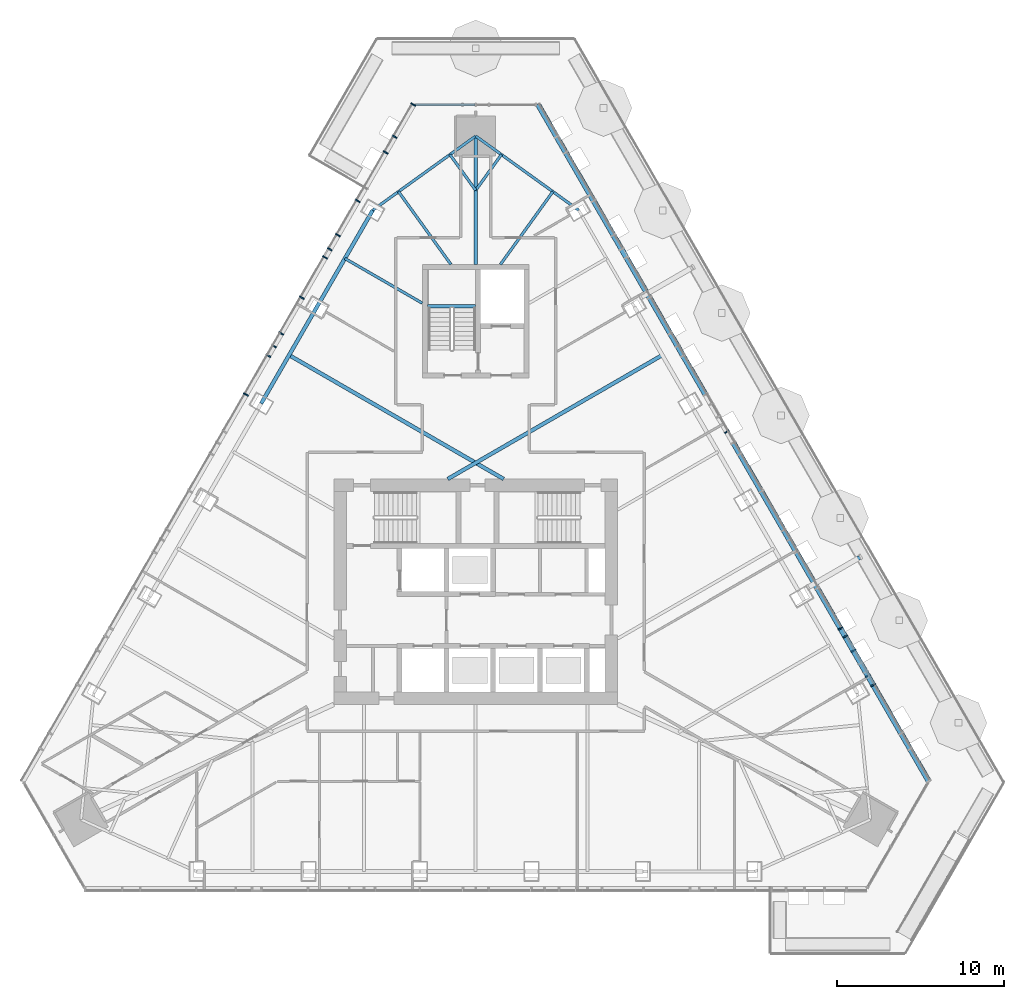
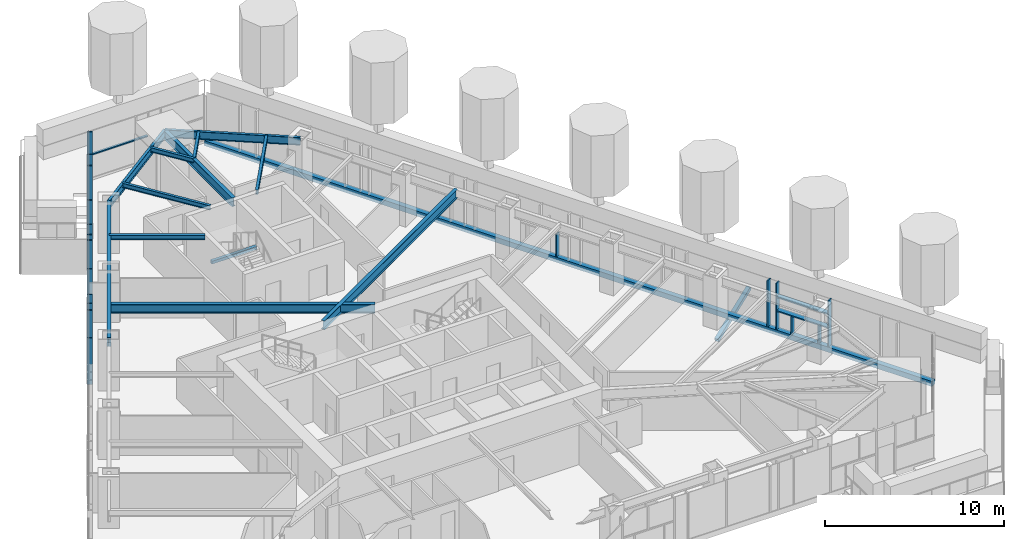
# One storey, part 6 of 24: 23 members, 12 beams, 3 elements without a shape of their own.
"""IFC4 building model written with IfcOpenShell, lengths in metres."""

from ifc_helpers import new_model, si_unit, direction, frame, origin, origin_2d, place, context, subcontext, project, spatial, rectangle, hollow_rectangle, i_section, extrude, material, layer, layer_set, material_profile, profile_set, type_object, element, aggregate, save


model = new_model("IFC4")

# Units and contexts
model_context = context("Model", 3, precision=1e-05, world=origin(), true_north=direction((0.0, 1.0)))
body_context = subcontext(model_context, "Body", "Model", "MODEL_VIEW")
ifc_project = project(units=[si_unit("LENGTHUNIT", "METRE"), si_unit("AREAUNIT", "SQUARE_METRE"), si_unit("VOLUMEUNIT", "CUBIC_METRE"), si_unit("PLANEANGLEUNIT", "RADIAN"), si_unit("MASSUNIT", "GRAM", prefix="KILO")], contexts=[model_context])

# Site, building, storey
site_placement = place(None, origin())
site = spatial("IfcSite", under=ifc_project, at=site_placement, CompositionType="ELEMENT")
building_placement = place(site_placement, origin())
building = spatial("IfcBuilding", under=site, at=building_placement, Name="Firuza Gate Tower and Library", CompositionType="ELEMENT")
storey_placement = place(building_placement, frame((0.0, 0.0, 267.10009765625)))
storey = spatial("IfcBuildingStorey", under=building, at=storey_placement, Name="L63", CompositionType="ELEMENT", Elevation=267.10009765625)

# Curtain wall, members
ifc_material_1 = material(Name="Aluminium 6063-T6", Category="aluminium")
ifc_layer_1 = layer(ifc_material_1, 0.14990234375)
ifc_layer_set_1 = layer_set([ifc_layer_1], Name="Unitised curtain wall, residences")
curtain_wall_type_1 = type_object("IfcCurtainWallType", Name="Unitised curtain wall, residences", PredefinedType="NOTDEFINED", material=ifc_layer_set_1)
placement = place(storey_placement, origin())
curtain_wall_1 = element("IfcCurtainWall", 1, at=placement, inside=storey, type_object=curtain_wall_type_1, Name="CW3 L63 E face", PredefinedType="NOTDEFINED")
ifc_material_2 = material(Name="Aluminium 6063-T6", Category="aluminium")
ifc_material_profile_1 = material_profile(ifc_material_2, rectangle(XDim=0.320068359375, YDim=0.080078125, at=origin_2d()))
ifc_profile_set_1 = profile_set([ifc_material_profile_1], Name="Aluminium 6063-T6")
member_type_1 = type_object("IfcMemberType", Name="Curtain wall mullion 80x320", PredefinedType="MULLION", material=ifc_profile_set_1)
member_1_placement = place(storey_placement, frame((98.802001953125, 69.415283203125, 0.14990234375), z_axis=(0.0, 0.0, 1.0), x_axis=(-0.866025403784, -0.5, 0.0)))
member_1 = element("IfcMember", 2, at=member_1_placement, type_object=member_type_1, Name="Mullion", PredefinedType="MULLION", context=body_context, shape_type="SweptSolid", body=[
    extrude(rectangle(XDim=0.320068359375, YDim=0.080078125, at=origin_2d()), origin(), (0.0, 0.0, 1.0), 3.14990234375),
])
member_2_placement = place(storey_placement, frame((97.128173828125, 72.314208984375, 0.14990234375), z_axis=(0.0, 0.0, 1.0), x_axis=(-0.866025403784, -0.5, 0.0)))
member_2 = element("IfcMember", 3, at=member_2_placement, type_object=member_type_1, Name="Mullion", PredefinedType="MULLION", context=body_context, shape_type="SweptSolid", body=[
    extrude(rectangle(XDim=0.320068359375, YDim=0.080078125, at=origin_2d()), origin(), (0.0, 0.0, 1.0), 3.14990234375),
])
member_3_placement = place(storey_placement, frame((98.487548828125, 69.9599609375, 0.14990234375), z_axis=(0.0, 0.0, 1.0), x_axis=(-0.866025403784, -0.5, 0.0)))
member_3 = element("IfcMember", 4, at=member_3_placement, type_object=member_type_1, Name="Mullion", PredefinedType="MULLION", context=body_context, shape_type="SweptSolid", body=[
    extrude(rectangle(XDim=0.320068359375, YDim=0.080078125, at=origin_2d()), origin(), (0.0, 0.0, 1.0), 1.260009765625),
])
member_4_placement = place(storey_placement, frame((97.617431640625, 71.466796875, 0.14990234375), z_axis=(0.0, 0.0, 1.0), x_axis=(-0.866025403784, -0.5, 0.0)))
member_4 = element("IfcMember", 5, at=member_4_placement, type_object=member_type_1, Name="Mullion", PredefinedType="MULLION", context=body_context, shape_type="SweptSolid", body=[
    extrude(rectangle(XDim=0.320068359375, YDim=0.080078125, at=origin_2d()), origin(), (0.0, 0.0, 1.0), 1.260009765625),
])
member_5_placement = place(storey_placement, frame((96.848876953125, 72.7978515625, 0.14990234375), z_axis=(0.0, 0.0, 1.0), x_axis=(-0.866025403784, -0.5, 0.0)))
member_5 = element("IfcMember", 6, at=member_5_placement, type_object=member_type_1, Name="Mullion", PredefinedType="MULLION", context=body_context, shape_type="SweptSolid", body=[
    extrude(rectangle(XDim=0.320068359375, YDim=0.080078125, at=origin_2d()), origin(), (0.0, 0.0, 1.0), 3.14990234375),
])
member_6_placement = place(storey_placement, frame((90.049072265625, 84.575927734375, 0.14990234375), z_axis=(0.0, 0.0, 1.0), x_axis=(-0.866025403784, -0.5, 0.0)))
member_6 = element("IfcMember", 7, at=member_6_placement, type_object=member_type_1, Name="Mullion", PredefinedType="MULLION", context=body_context, shape_type="SweptSolid", body=[
    extrude(rectangle(XDim=0.320068359375, YDim=0.080078125, at=origin_2d()), origin(), (0.0, 0.0, 1.0), 1.534912109375),
])

curtain_wall_2 = element("IfcCurtainWall", 8, at=placement, inside=storey, type_object=curtain_wall_type_1, Name="CW3 L63 W face", PredefinedType="NOTDEFINED")
member_7_placement = place(storey_placement, frame((71.26318359375, 104.1689453125, 0.14990234375), z_axis=(0.0, 0.0, 1.0), x_axis=(0.866025403784, -0.5, 0.0)))
member_7 = element("IfcMember", 9, at=member_7_placement, type_object=member_type_1, Name="Mullion", PredefinedType="MULLION", context=body_context, shape_type="SweptSolid", body=[
    extrude(rectangle(XDim=0.320068359375, YDim=0.080078125, at=origin_2d()), origin(), (0.0, 0.0, 1.0), 3.14990234375),
])
member_8_placement = place(storey_placement, frame((69.609375, 101.3046875, 0.14990234375), z_axis=(0.0, 0.0, 1.0), x_axis=(0.866025403784, -0.5, 0.0)))
member_8 = element("IfcMember", 10, at=member_8_placement, type_object=member_type_1, Name="Mullion", PredefinedType="MULLION", context=body_context, shape_type="SweptSolid", body=[
    extrude(rectangle(XDim=0.320068359375, YDim=0.080078125, at=origin_2d()), origin(), (0.0, 0.0, 1.0), 3.14990234375),
])
member_9_placement = place(storey_placement, frame((67.935546875, 98.405517578125, 0.14990234375), z_axis=(0.0, 0.0, 1.0), x_axis=(0.866025403784, -0.5, 0.0)))
member_9 = element("IfcMember", 11, at=member_9_placement, type_object=member_type_1, Name="Mullion", PredefinedType="MULLION", context=body_context, shape_type="SweptSolid", body=[
    extrude(rectangle(XDim=0.320068359375, YDim=0.080078125, at=origin_2d()), origin(), (0.0, 0.0, 1.0), 3.14990234375),
])
member_10_placement = place(storey_placement, frame((66.26171875, 95.506591796875, 0.14990234375), z_axis=(0.0, 0.0, 1.0), x_axis=(0.866025403784, -0.5, 0.0)))
member_10 = element("IfcMember", 12, at=member_10_placement, type_object=member_type_1, Name="Mullion", PredefinedType="MULLION", context=body_context, shape_type="SweptSolid", body=[
    extrude(rectangle(XDim=0.320068359375, YDim=0.080078125, at=origin_2d()), origin(), (0.0, 0.0, 1.0), 3.14990234375),
])
member_11_placement = place(storey_placement, frame((64.588134765625, 92.607421875, 0.14990234375), z_axis=(0.0, 0.0, 1.0), x_axis=(0.866025403784, -0.5, 0.0)))
member_11 = element("IfcMember", 13, at=member_11_placement, type_object=member_type_1, Name="Mullion", PredefinedType="MULLION", context=body_context, shape_type="SweptSolid", body=[
    extrude(rectangle(XDim=0.320068359375, YDim=0.080078125, at=origin_2d()), origin(), (0.0, 0.0, 1.0), 3.14990234375),
])
member_12_placement = place(storey_placement, frame((62.914306640625, 89.70849609375, 0.14990234375), z_axis=(0.0, 0.0, 1.0), x_axis=(0.866025403784, -0.5, 0.0)))
member_12 = element("IfcMember", 14, at=member_12_placement, type_object=member_type_1, Name="Mullion", PredefinedType="MULLION", context=body_context, shape_type="SweptSolid", body=[
    extrude(rectangle(XDim=0.320068359375, YDim=0.080078125, at=origin_2d()), origin(), (0.0, 0.0, 1.0), 3.14990234375),
])
member_13_placement = place(storey_placement, frame((61.240478515625, 86.809326171875, 0.14990234375), z_axis=(0.0, 0.0, 1.0), x_axis=(0.866025403784, -0.5, 0.0)))
member_13 = element("IfcMember", 15, at=member_13_placement, type_object=member_type_1, Name="Mullion", PredefinedType="MULLION", context=body_context, shape_type="SweptSolid", body=[
    extrude(rectangle(XDim=0.320068359375, YDim=0.080078125, at=origin_2d()), origin(), (0.0, 0.0, 1.0), 3.14990234375),
])
member_14_placement = place(storey_placement, frame((70.151123046875, 102.242919921875, 0.14990234375), z_axis=(0.0, 0.0, 1.0), x_axis=(0.866025403784, -0.5, 0.0)))
member_14 = element("IfcMember", 16, at=member_14_placement, type_object=member_type_1, Name="Mullion", PredefinedType="MULLION", context=body_context, shape_type="SweptSolid", body=[
    extrude(rectangle(XDim=0.320068359375, YDim=0.080078125, at=origin_2d()), origin(), (0.0, 0.0, 1.0), 3.14990234375),
])
member_15_placement = place(storey_placement, frame((66.7509765625, 96.353759765625, 0.14990234375), z_axis=(0.0, 0.0, 1.0), x_axis=(0.866025403784, -0.5, 0.0)))
member_15 = element("IfcMember", 17, at=member_15_placement, type_object=member_type_1, Name="Mullion", PredefinedType="MULLION", context=body_context, shape_type="SweptSolid", body=[
    extrude(rectangle(XDim=0.320068359375, YDim=0.080078125, at=origin_2d()), origin(), (0.0, 0.0, 1.0), 3.14990234375),
])
member_16_placement = place(storey_placement, frame((65.982421875, 95.022705078125, 0.14990234375), z_axis=(0.0, 0.0, 1.0), x_axis=(0.866025403784, -0.5, 0.0)))
member_16 = element("IfcMember", 18, at=member_16_placement, type_object=member_type_1, Name="Mullion", PredefinedType="MULLION", context=body_context, shape_type="SweptSolid", body=[
    extrude(rectangle(XDim=0.320068359375, YDim=0.080078125, at=origin_2d()), origin(), (0.0, 0.0, 1.0), 3.14990234375),
])
member_17_placement = place(storey_placement, frame((63.35107421875, 90.46484375, 0.14990234375), z_axis=(0.0, 0.0, 1.0), x_axis=(0.866025403784, -0.5, 0.0)))
member_17 = element("IfcMember", 19, at=member_17_placement, type_object=member_type_1, Name="Mullion", PredefinedType="MULLION", context=body_context, shape_type="SweptSolid", body=[
    extrude(rectangle(XDim=0.320068359375, YDim=0.080078125, at=origin_2d()), origin(), (0.0, 0.0, 1.0), 3.14990234375),
])
member_18_placement = place(storey_placement, frame((62.58251953125, 89.1337890625, 0.14990234375), z_axis=(0.0, 0.0, 1.0), x_axis=(0.866025403784, -0.5, 0.0)))
member_18 = element("IfcMember", 20, at=member_18_placement, type_object=member_type_1, Name="Mullion", PredefinedType="MULLION", context=body_context, shape_type="SweptSolid", body=[
    extrude(rectangle(XDim=0.320068359375, YDim=0.080078125, at=origin_2d()), origin(), (0.0, 0.0, 1.0), 3.14990234375),
])
aggregate(curtain_wall_2, [member_7, member_8, member_9, member_10, member_11, member_12, member_13, member_14, member_15, member_16, member_17, member_18])

# Member
ifc_material_3 = material(Name="Aluminium 6063-T6", Category="aluminium")
ifc_material_profile_2 = material_profile(ifc_material_3, rectangle(XDim=0.320068359375, YDim=0.35009765625, at=origin_2d()))
ifc_profile_set_2 = profile_set([ifc_material_profile_2], Name="Aluminium 6063-T6")
member_type_2 = type_object("IfcMemberType", Name="Curtain wall transom 350x320", PredefinedType="USERDEFINED", material=ifc_profile_set_2)
member_19_placement = place(storey_placement, frame((102.149658203125, 63.6171875, -0.025146484375), z_axis=(-0.500004440558, 0.866022840012, 0.0), x_axis=(-0.866022840012, -0.500004440558, 0.0)))
member_19 = element("IfcMember", 21, at=member_19_placement, type_object=member_type_2, Name="Transom", ObjectType="TRANSOM", PredefinedType="USERDEFINED", context=body_context, shape_type="SweptSolid", body=[
    extrude(rectangle(XDim=0.320068359375, YDim=0.35009765625, at=origin_2d()), origin(), (0.0, 0.0, 1.0), 46.865234375),
])

# Curtain wall, member
ifc_material_4 = material(Name="Aluminium 6063-T6", Category="aluminium")
ifc_layer_2 = layer(ifc_material_4, 0.14990234375)
ifc_layer_set_2 = layer_set([ifc_layer_2], Name="Corner curtain wall, chamfers")
curtain_wall_type_2 = type_object("IfcCurtainWallType", Name="Corner curtain wall, chamfers", PredefinedType="NOTDEFINED", material=ifc_layer_set_2)
curtain_wall_3 = element("IfcCurtainWall", 22, at=placement, inside=storey, type_object=curtain_wall_type_2, Name="CW4 L63 N corner", PredefinedType="NOTDEFINED")
ifc_material_5 = material(Name="Aluminium 6063-T6", Category="aluminium")
ifc_material_profile_3 = material_profile(ifc_material_5, rectangle(XDim=0.14990234375, YDim=0.080078125, at=origin_2d()))
ifc_profile_set_3 = profile_set([ifc_material_profile_3], Name="Aluminium 6063-T6")
member_type_3 = type_object("IfcMemberType", Name="Curtain wall transom 80x150", PredefinedType="USERDEFINED", material=ifc_profile_set_3)
member_20_placement = place(storey_placement, frame((74.9599609375, 104.1611328125, 1.724853515625), z_axis=(-1.0, 0.0, 0.0), x_axis=(0.0, -1.0, 0.0)))
member_20 = element("IfcMember", 23, at=member_20_placement, type_object=member_type_3, Name="Transom", ObjectType="TRANSOM", PredefinedType="USERDEFINED", context=body_context, shape_type="SweptSolid", body=[
    extrude(rectangle(XDim=0.14990234375, YDim=0.080078125, at=origin_2d()), origin(), (0.0, 0.0, 1.0), 3.563232421875),
])
aggregate(curtain_wall_3, [member_20])

# Member
ifc_material_6 = material(Name="Aluminium 6063-T6", Category="aluminium")
ifc_material_profile_4 = material_profile(ifc_material_6, rectangle(XDim=0.320068359375, YDim=0.080078125, at=origin_2d()))
ifc_profile_set_4 = profile_set([ifc_material_profile_4], Name="Aluminium 6063-T6")
member_type_4 = type_object("IfcMemberType", Name="Curtain wall transom 80x320", PredefinedType="USERDEFINED", material=ifc_profile_set_4)
member_21_placement = place(storey_placement, frame((98.781982421875, 69.449951171875, 1.449951171875), z_axis=(-0.500028601563, 0.866008890035, 0.0), x_axis=(-0.866008890035, -0.500028601563, 0.0)))
member_21 = element("IfcMember", 24, at=member_21_placement, type_object=member_type_4, Name="Transom", ObjectType="TRANSOM", PredefinedType="USERDEFINED", context=body_context, shape_type="SweptSolid", body=[
    extrude(rectangle(XDim=0.320068359375, YDim=0.080078125, at=origin_2d()), origin(), (0.0, 0.0, 1.0), 3.267333984375),
])

member_22_placement = place(storey_placement, frame((98.781982421875, 69.449951171875, 2.375), z_axis=(-0.500028601563, 0.866008890035, 0.0), x_axis=(-0.866008890035, -0.500028601563, 0.0)))
member_22 = element("IfcMember", 25, at=member_22_placement, type_object=member_type_4, Name="Transom", ObjectType="TRANSOM", PredefinedType="USERDEFINED", context=body_context, shape_type="SweptSolid", body=[
    extrude(rectangle(XDim=0.320068359375, YDim=0.080078125, at=origin_2d()), origin(), (0.0, 0.0, 1.0), 3.267333984375),
])

aggregate(curtain_wall_1, [member_1, member_2, member_19, member_3, member_4, member_21, member_22, member_5, member_6])

ifc_material_7 = material(Name="Steel S355", Category="steel")
ifc_material_profile_5 = material_profile(ifc_material_7, hollow_rectangle(XDim=0.25390625, YDim=0.25390625, WallThickness=0.01171875, at=origin_2d()))
ifc_profile_set_5 = profile_set([ifc_material_profile_5], Name="Steel S355")
member_type_5 = type_object("IfcMemberType", Name="HSS254x254x13 Tray strut", PredefinedType="BRACE", material=ifc_profile_set_5)
member_23_placement = place(storey_placement, frame((94.92724609375, 75.276611328125, -1.670166015625), z_axis=(0.807122458648, 0.466007352202, 0.362478253747), x_axis=(-0.500012057535, 0.866018442252, 0.0)))
element("IfcMember", 26, at=member_23_placement, inside=storey, type_object=member_type_5, Name="Tray strut L63 col:L62:E2", PredefinedType="BRACE", context=body_context, shape_type="SweptSolid", body=[
    extrude(hollow_rectangle(XDim=0.25390625, YDim=0.25390625, WallThickness=0.01171875, at=origin_2d()), origin(), (0.0, 0.0, 1.0), 3.86279296875),
])

# Beams
ifc_material_8 = material(Name="Concrete C35/45", Category="concrete")
ifc_material_profile_6 = material_profile(ifc_material_8, rectangle(XDim=0.199951171875, YDim=0.199951171875, at=origin_2d()))
ifc_profile_set_6 = profile_set([ifc_material_profile_6], Name="Concrete C35/45")
beam_type_1 = type_object("IfcBeamType", Name="Stair landing bearer 200x200", PredefinedType="BEAM", material=ifc_profile_set_6)
beam_1_placement = place(storey_placement, frame((75.0, 92.090087890625, 1.449951171875), z_axis=(-1.0, 0.0, 0.0), x_axis=(0.0, -1.0, 0.0)))
element("IfcBeam", 27, at=beam_1_placement, inside=storey, type_object=beam_type_1, Name="Landing bearer L63 stair 3", PredefinedType="BEAM", context=body_context, shape_type="SweptSolid", body=[
    extrude(rectangle(XDim=0.199951171875, YDim=0.199951171875, at=origin_2d()), origin(), (0.0, 0.0, 1.0), 2.89990234375),
])
ifc_material_9 = material(Name="Steel S355", Category="steel")
ifc_material_profile_7 = material_profile(ifc_material_9, i_section(OverallWidth=0.1650390625, OverallDepth=0.31005859375, WebThickness=0.005859375, FlangeThickness=0.009765625, at=origin_2d()))
ifc_profile_set_7 = profile_set([ifc_material_profile_7], Name="Steel S355")
beam_type_2 = type_object("IfcBeamType", Name="W310x39 Floor beam", PredefinedType="JOIST", material=ifc_profile_set_7)
beam_2_placement = place(storey_placement, frame((79.621337890625, 98.9580078125, 3.14501953125), z_axis=(-0.584364605305, -0.811491224886, 0.0), x_axis=(0.811491224886, -0.584364605305, 0.0)))
element("IfcBeam", 28, at=beam_2_placement, inside=storey, type_object=beam_type_2, Name="Floor beam L63 s60", PredefinedType="JOIST", context=body_context, shape_type="SweptSolid", body=[
    extrude(i_section(OverallWidth=0.1650390625, OverallDepth=0.31005859375, WebThickness=0.005859375, FlangeThickness=0.009765625, at=origin_2d()), origin(), (0.0, 0.0, 1.0), 5.370361328125),
])
for number, where, z_axis, x_axis, name in (
    (29, (76.54052734375, 101.1767578125, 3.14501953125), (-0.584387674323, -0.81147461211, 0.0), (0.81147461211, -0.584387674323, 0.0), "Floor beam L63 s61"),
    (30, (73.45947265625, 101.1767578125, 3.14501953125), (0.584387674323, -0.81147461211, 0.0), (0.81147461211, 0.584387674323, 0.0), "Floor beam L63 s70"),
):
    element("IfcBeam", number, at=place(storey_placement, frame(where, z_axis=z_axis, x_axis=x_axis)), inside=storey, type_object=beam_type_2, Name=name, PredefinedType="JOIST", context=body_context, shape_type="SweptSolid", body=[
        extrude(i_section(OverallWidth=0.1650390625, OverallDepth=0.31005859375, WebThickness=0.005859375, FlangeThickness=0.009765625, at=origin_2d()), origin(), (0.0, 0.0, 1.0), 2.63623046875),
    ])
beam_3_placement = place(storey_placement, frame((70.378662109375, 98.9580078125, 3.14501953125), z_axis=(0.584364605305, -0.811491224886, 0.0), x_axis=(0.811491224886, 0.584364605305, 0.0)))
element("IfcBeam", 31, at=beam_3_placement, inside=storey, type_object=beam_type_2, Name="Floor beam L63 s71", PredefinedType="JOIST", context=body_context, shape_type="SweptSolid", body=[
    extrude(i_section(OverallWidth=0.1650390625, OverallDepth=0.31005859375, WebThickness=0.005859375, FlangeThickness=0.009765625, at=origin_2d()), origin(), (0.0, 0.0, 1.0), 5.370361328125),
])
beam_4_placement = place(storey_placement, frame((67.16748046875, 94.955078125, 3.14501953125), z_axis=(0.866029778435, -0.499992422807, 0.0), x_axis=(0.499992422807, 0.866029778435, 0.0)))
element("IfcBeam", 32, at=beam_4_placement, inside=storey, type_object=beam_type_2, Name="Floor beam L63 s80", PredefinedType="JOIST", context=body_context, shape_type="SweptSolid", body=[
    extrude(i_section(OverallWidth=0.1650390625, OverallDepth=0.31005859375, WebThickness=0.005859375, FlangeThickness=0.009765625, at=origin_2d()), origin(), (0.0, 0.0, 1.0), 5.34912109375),
])
ifc_material_10 = material(Name="Steel S355", Category="steel")
ifc_material_profile_8 = material_profile(ifc_material_10, i_section(OverallWidth=0.166015625, OverallDepth=0.534912109375, WebThickness=0.01025390625, FlangeThickness=0.0166015625, at=origin_2d()))
ifc_profile_set_8 = profile_set([ifc_material_profile_8], Name="Steel S355")
beam_type_3 = type_object("IfcBeamType", Name="W530x85 Edge beam", PredefinedType="SPANDREL", material=ifc_profile_set_8)
for number, where, z_axis, x_axis, name in (
    (33, (81.161865234375, 97.848876953125, 3.032470703125), (-0.811489820641, 0.584366555337, 0.0), (-0.584366555337, -0.811489820641, 0.0), "Edge beam L63 e60"),
    (34, (75.0, 102.2861328125, 3.032470703125), (-0.811489820641, -0.584366555337, 0.0), (0.584366555337, -0.811489820641, 0.0), "Edge beam L63 e70"),
):
    element("IfcBeam", number, at=place(storey_placement, frame(where, z_axis=z_axis, x_axis=x_axis)), inside=storey, type_object=beam_type_3, Name=name, PredefinedType="SPANDREL", context=body_context, shape_type="SweptSolid", body=[
        extrude(i_section(OverallWidth=0.166015625, OverallDepth=0.534912109375, WebThickness=0.01025390625, FlangeThickness=0.0166015625, at=origin_2d()), origin(), (0.0, 0.0, 1.0), 7.59326171875),
    ])
ifc_material_11 = material(Name="Steel S355", Category="steel")
ifc_material_profile_9 = material_profile(ifc_material_11, i_section(OverallWidth=0.22802734375, OverallDepth=0.60302734375, WebThickness=0.010498046875, FlangeThickness=0.014892578125, at=origin_2d()))
ifc_profile_set_9 = profile_set([ifc_material_profile_9], Name="Steel S355")
beam_type_4 = type_object("IfcBeamType", Name="W610x101 Floor beam", PredefinedType="JOIST", material=ifc_profile_set_9)
for number, where, z_axis, x_axis, name in (
    (35, (86.173828125, 89.167724609375, 2.998291015625), (-0.866025816488, -0.499999285175, 0.0), (0.499999285175, -0.866025816488, 0.0), "Floor beam L63 s53"),
    (36, (63.826171875, 89.167724609375, 2.998291015625), (0.866025816488, -0.499999285175, 0.0), (0.499999285175, 0.866025816488, 0.0), "Floor beam L63 s81"),
):
    element("IfcBeam", number, at=place(storey_placement, frame(where, z_axis=z_axis, x_axis=x_axis)), inside=storey, type_object=beam_type_4, Name=name, PredefinedType="JOIST", context=body_context, shape_type="SweptSolid", body=[
        extrude(i_section(OverallWidth=0.22802734375, OverallDepth=0.60302734375, WebThickness=0.010498046875, FlangeThickness=0.014892578125, at=origin_2d()), origin(), (0.0, 0.0, 1.0), 14.83544921875),
    ])
ifc_material_12 = material(Name="Steel S355", Category="steel")
ifc_material_profile_10 = material_profile(ifc_material_12, i_section(OverallWidth=0.22802734375, OverallDepth=0.60302734375, WebThickness=0.010498046875, FlangeThickness=0.014892578125, at=origin_2d()))
ifc_profile_set_10 = profile_set([ifc_material_profile_10], Name="Steel S355")
beam_type_5 = type_object("IfcBeamType", Name="W610x101 Girder", PredefinedType="BEAM", material=ifc_profile_set_10)
beam_5_placement = place(storey_placement, frame((75.0, 102.2861328125, 2.998291015625), z_axis=(0.0, -1.0, 0.0), x_axis=(1.0, 0.0, 0.0)))
element("IfcBeam", 37, at=beam_5_placement, inside=storey, type_object=beam_type_5, Name="Girder L63 gN", PredefinedType="BEAM", context=body_context, shape_type="SweptSolid", body=[
    extrude(i_section(OverallWidth=0.22802734375, OverallDepth=0.60302734375, WebThickness=0.010498046875, FlangeThickness=0.014892578125, at=origin_2d()), origin(), (0.0, 0.0, 1.0), 7.68603515625),
])
ifc_material_13 = material(Name="Steel S355", Category="steel")
ifc_material_profile_11 = material_profile(ifc_material_13, i_section(OverallWidth=0.22900390625, OverallDepth=0.612060546875, WebThickness=0.011962890625, FlangeThickness=0.01953125, at=origin_2d()))
ifc_profile_set_11 = profile_set([ifc_material_profile_11], Name="Steel S355")
beam_type_6 = type_object("IfcBeamType", Name="W610x125 Edge beam", PredefinedType="SPANDREL", material=ifc_profile_set_11)
beam_6_placement = place(storey_placement, frame((68.838134765625, 97.848876953125, 2.993896484375), z_axis=(-0.499997585193, -0.866026797969, 0.0), x_axis=(0.866026797969, -0.499997585193, 0.0)))
element("IfcBeam", 38, at=beam_6_placement, inside=storey, type_object=beam_type_6, Name="Edge beam L63 e80", PredefinedType="SPANDREL", context=body_context, shape_type="SweptSolid", body=[
    extrude(i_section(OverallWidth=0.22900390625, OverallDepth=0.612060546875, WebThickness=0.011962890625, FlangeThickness=0.01953125, at=origin_2d()), origin(), (0.0, 0.0, 1.0), 13.365234375),
])

save(model, "model.ifc")
